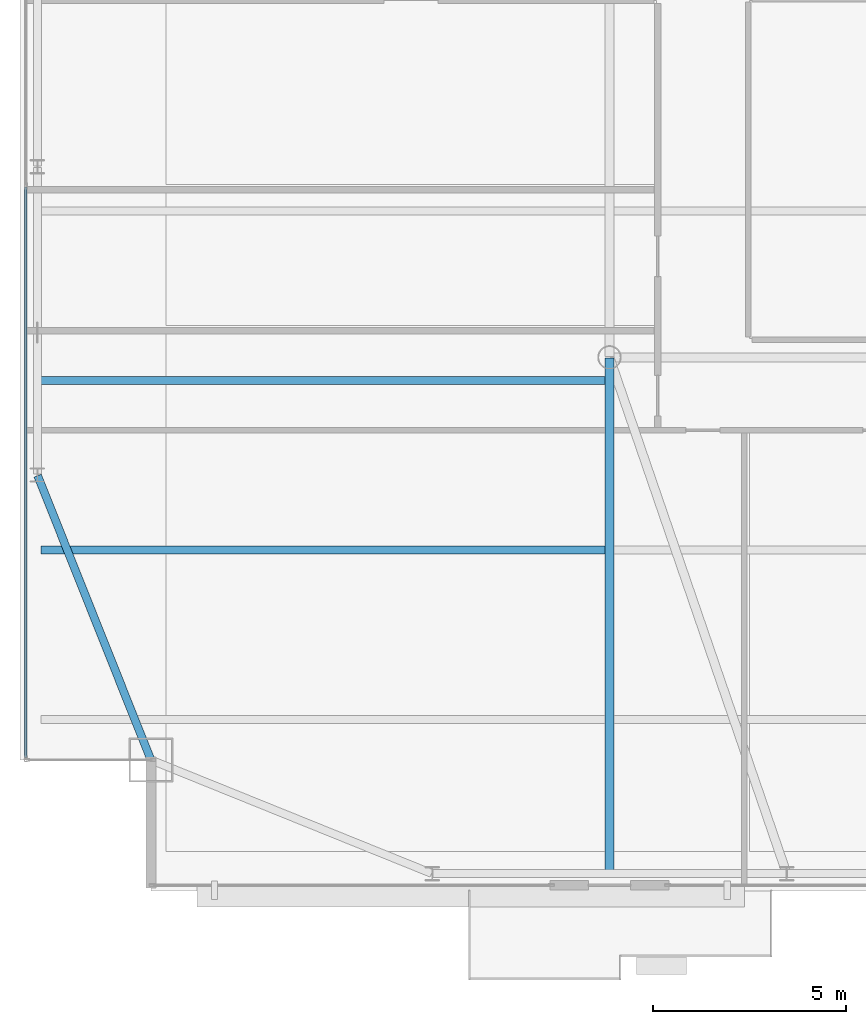
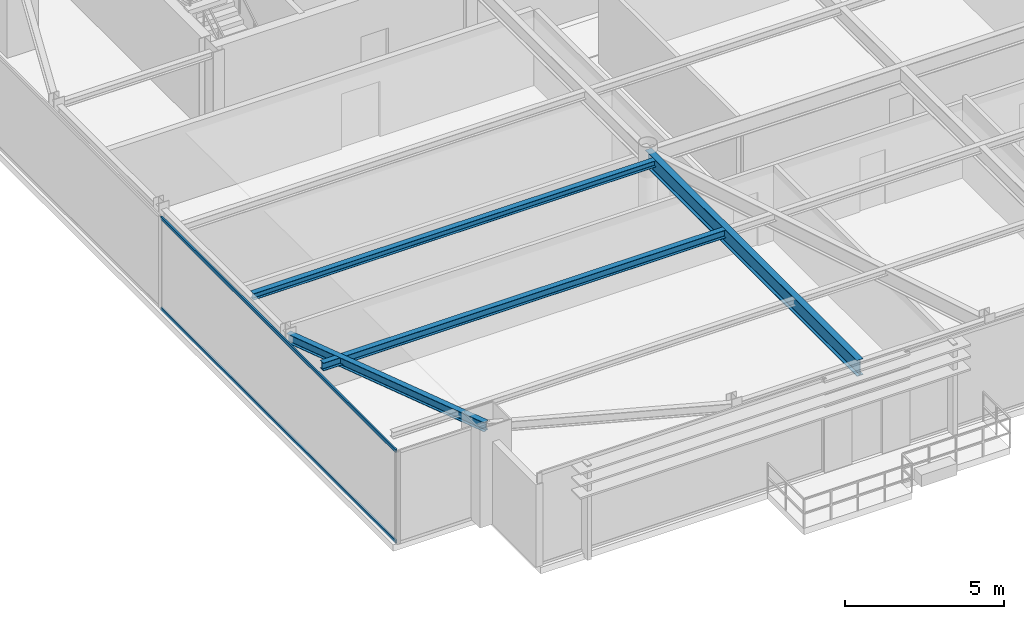
# One storey, part 7 of 30: 4 beams, 2 members, 1 element without a shape of its own.
"""IFC4 building model written with IfcOpenShell, lengths in metres."""

from ifc_helpers import new_model, si_unit, direction, frame, origin, origin_2d, place, context, subcontext, project, spatial, hollow_rectangle, i_section, extrude, source, transform, mapped, material, layer, layer_set, material_profile, profile_set, type_object, type_shapes, element, aggregate, save


model = new_model("IFC4")

# Units and contexts
model_context = context("Model", 3, precision=1e-05, world=origin(), true_north=direction((0.0, 1.0)))
body_context = subcontext(model_context, "Body", "Model", "MODEL_VIEW")
ifc_project = project(units=[si_unit("LENGTHUNIT", "METRE"), si_unit("AREAUNIT", "SQUARE_METRE"), si_unit("VOLUMEUNIT", "CUBIC_METRE"), si_unit("PLANEANGLEUNIT", "RADIAN"), si_unit("MASSUNIT", "GRAM", prefix="KILO")], contexts=[model_context])

# Site, building, storey
site_placement = place(None, origin())
site = spatial("IfcSite", under=ifc_project, at=site_placement, CompositionType="ELEMENT")
building_placement = place(site_placement, origin())
building = spatial("IfcBuilding", under=site, at=building_placement, Name="Varnel Quay Broadcast Tower", CompositionType="ELEMENT")
storey_placement = place(building_placement, frame((0.0, 0.0, 247.0)))
storey = spatial("IfcBuildingStorey", under=building, at=storey_placement, Name="L61", CompositionType="ELEMENT", Elevation=247.0)

# Beams
ifc_material_1 = material(Name="Structural Steel CSA G40.21 350W", Category="steel")
ifc_material_profile_1 = material_profile(ifc_material_1, i_section(OverallWidth=0.205078125, OverallDepth=0.35400390625, WebThickness=0.009521484375, FlangeThickness=0.016845703125, FilletRadius=0.012939453125, at=origin_2d()), Name="W360X79")
ifc_profile_set_1 = profile_set([ifc_material_profile_1], Name="Structural Steel CSA G40.21 350W")
beam_type_1 = type_object("IfcBeamType", Name="Beam_W360X79", PredefinedType="SPANDREL", material=ifc_profile_set_1)
shared_shape_1 = source(origin(), body_context, "Body", "SweptSolid", [
    extrude(i_section(OverallWidth=0.205078125, OverallDepth=0.35400390625, WebThickness=0.009521484375, FlangeThickness=0.016845703125, FilletRadius=0.012939453125, at=origin_2d()), origin(), (0.0, 0.0, 1.0), 7.92626953125),
])
type_shapes(beam_type_1, [shared_shape_1])
beam_1_placement = place(storey_placement, frame((12.892578125, 13.61865234375, 3.373046875), z_axis=(-0.370296431883, 0.928913641053, 0.0), x_axis=(-0.928913641053, -0.370296431883, 0.0)))
element("IfcBeam", 1, at=beam_1_placement, inside=storey, type_object=beam_type_1, Name="L61 West Spandrel MC-SW-TC-W1", PredefinedType="SPANDREL", context=body_context, shape_type="MappedRepresentation", body=[
    mapped(shared_shape_1, transform((0.0, 0.0, 0.0), x_axis=(1.0, 0.0, 0.0), y_axis=(0.0, 1.0, 0.0), z_axis=(0.0, 0.0, 1.0), scale=1.0)),
])
ifc_material_profile_2 = material_profile(ifc_material_1, i_section(OverallWidth=0.22998046875, OverallDepth=0.616943359375, WebThickness=0.01318359375, FlangeThickness=0.022216796875, FilletRadius=0.01611328125, at=origin_2d()), Name="W610X140")
ifc_profile_set_2 = profile_set([ifc_material_profile_2], Name="Structural Steel CSA G40.21 350W")
beam_type_2 = type_object("IfcBeamType", Name="Girder_W610X140", PredefinedType="BEAM", material=ifc_profile_set_2)
shared_shape_2 = source(origin(), body_context, "Body", "SweptSolid", [
    extrude(i_section(OverallWidth=0.22998046875, OverallDepth=0.616943359375, WebThickness=0.01318359375, FlangeThickness=0.022216796875, FilletRadius=0.01611328125, at=origin_2d()), origin(), (0.0, 0.0, 1.0), 13.360107421875),
])
type_shapes(beam_type_2, [shared_shape_2])
beam_2_placement = place(storey_placement, frame((24.800048828125, 10.669921875, 3.241455078125), z_axis=(0.0, 1.0, 0.0), x_axis=(-1.0, 0.0, 0.0)))
element("IfcBeam", 2, at=beam_2_placement, inside=storey, type_object=beam_type_2, Name="L61 N-S Joist Header IC-01S", PredefinedType="BEAM", context=body_context, shape_type="MappedRepresentation", body=[
    mapped(shared_shape_2, transform((0.0, 0.0, 0.0), x_axis=(1.0, 0.0, 0.0), y_axis=(0.0, 1.0, 0.0), z_axis=(0.0, 0.0, 1.0), scale=1.0)),
])
ifc_material_profile_3 = material_profile(ifc_material_1, i_section(OverallWidth=0.201904296875, OverallDepth=0.2470703125, WebThickness=0.00732421875, FlangeThickness=0.010986328125, FilletRadius=0.010986328125, at=origin_2d()), Name="W250X49")
ifc_profile_set_3 = profile_set([ifc_material_profile_3], Name="Structural Steel CSA G40.21 350W")
beam_type_3 = type_object("IfcBeamType", Name="Beam_W250X49", PredefinedType="JOIST", material=ifc_profile_set_3)
shared_shape_3 = source(origin(), body_context, "Body", "SweptSolid", [
    extrude(i_section(OverallWidth=0.201904296875, OverallDepth=0.2470703125, WebThickness=0.00732421875, FlangeThickness=0.010986328125, FilletRadius=0.010986328125, at=origin_2d()), origin(), (0.0, 0.0, 1.0), 14.642333984375),
])
type_shapes(beam_type_3, [shared_shape_3])
beam_3_placement = place(storey_placement, frame((10.047607421875, 23.449951171875, 3.426513671875), z_axis=(1.0, 0.0, 0.0), x_axis=(0.0, 1.0, 0.0)))
element("IfcBeam", 3, at=beam_3_placement, inside=storey, type_object=beam_type_3, Name="L61 West Floor Joist 3", PredefinedType="JOIST", context=body_context, shape_type="MappedRepresentation", body=[
    mapped(shared_shape_3, transform((0.0, 0.0, 0.0), x_axis=(1.0, 0.0, 0.0), y_axis=(0.0, 1.0, 0.0), z_axis=(0.0, 0.0, 1.0), scale=1.0)),
])
ifc_material_profile_4 = material_profile(ifc_material_1, i_section(OverallWidth=0.202880859375, OverallDepth=0.302978515625, WebThickness=0.007568359375, FlangeThickness=0.01318359375, FilletRadius=0.011962890625, at=origin_2d()), Name="W310X60")
ifc_profile_set_4 = profile_set([ifc_material_profile_4], Name="Structural Steel CSA G40.21 350W")
beam_type_4 = type_object("IfcBeamType", Name="Beam_W310X60", PredefinedType="JOIST", material=ifc_profile_set_4)
shared_shape_4 = source(origin(), body_context, "Body", "SweptSolid", [
    extrude(i_section(OverallWidth=0.202880859375, OverallDepth=0.302978515625, WebThickness=0.007568359375, FlangeThickness=0.01318359375, FilletRadius=0.011962890625, at=origin_2d()), origin(), (0.0, 0.0, 1.0), 14.642333984375),
])
type_shapes(beam_type_4, [shared_shape_4])
beam_4_placement = place(storey_placement, frame((10.047607421875, 19.050048828125, 3.3984375), z_axis=(1.0, 0.0, 0.0), x_axis=(0.0, 1.0, 0.0)))
element("IfcBeam", 4, at=beam_4_placement, inside=storey, type_object=beam_type_4, Name="L61 West Floor Joist 2", PredefinedType="JOIST", context=body_context, shape_type="MappedRepresentation", body=[
    mapped(shared_shape_4, transform((0.0, 0.0, 0.0), x_axis=(1.0, 0.0, 0.0), y_axis=(0.0, 1.0, 0.0), z_axis=(0.0, 0.0, 1.0), scale=1.0)),
])

# Curtain wall, members
ifc_material_2 = material(Name="Anodised Bronze Aluminium 6063-T6", Category="aluminium")
ifc_layer = layer(ifc_material_2, 0.18994140625, Name="Anodised Bronze Aluminium 6063-T6")
ifc_layer_set = layer_set([ifc_layer], Name="Anodised Bronze Aluminium 6063-T6")
curtain_wall_type = type_object("IfcCurtainWallType", Name="CW_UpperTower", PredefinedType="NOTDEFINED", material=ifc_layer_set)
curtain_wall_placement = place(storey_placement, origin())
curtain_wall = element("IfcCurtainWall", 5, at=curtain_wall_placement, inside=storey, type_object=curtain_wall_type, Name="L61 West Unitised Curtain Wall", PredefinedType="NOTDEFINED")
ifc_material_profile_5 = material_profile(ifc_material_2, hollow_rectangle(XDim=0.06005859375, YDim=0.125, WallThickness=0.0029296875, at=origin_2d()), Name="ALU60X125X3")
ifc_profile_set_5 = profile_set([ifc_material_profile_5], Name="Anodised Bronze Aluminium 6063-T6")
member_type = type_object("IfcMemberType", Name="Tran_CWS-03", PredefinedType="USERDEFINED", material=ifc_profile_set_5)
shared_shape_5 = source(origin(), body_context, "Body", "SweptSolid", [
    extrude(hollow_rectangle(XDim=0.06005859375, YDim=0.125, WallThickness=0.0029296875, at=origin_2d()), origin(), (0.0, 0.0, 1.0), 14.802490234375),
])
type_shapes(member_type, [shared_shape_5])
member_1_placement = place(storey_placement, frame((9.64990234375, 13.6650390625, 0.030029296875), z_axis=(0.0, 1.0, 0.0), x_axis=(-1.0, 0.0, 0.0)))
member_1 = element("IfcMember", 6, at=member_1_placement, type_object=member_type, Name="CWS-03 transom 1.1", ObjectType="TRANSOM", PredefinedType="USERDEFINED", context=body_context, shape_type="MappedRepresentation", body=[
    mapped(shared_shape_5, transform((0.0, 0.0, 0.0), x_axis=(1.0, 0.0, 0.0), y_axis=(0.0, 1.0, 0.0), z_axis=(0.0, 0.0, 1.0), scale=1.0)),
])
member_2_placement = place(storey_placement, frame((9.64990234375, 13.6650390625, 3.52001953125), z_axis=(0.0, 1.0, 0.0), x_axis=(-1.0, 0.0, 0.0)))
member_2 = element("IfcMember", 7, at=member_2_placement, type_object=member_type, Name="CWS-03 transom 1.2", ObjectType="TRANSOM", PredefinedType="USERDEFINED", context=body_context, shape_type="MappedRepresentation", body=[
    mapped(shared_shape_5, transform((0.0, 0.0, 0.0), x_axis=(1.0, 0.0, 0.0), y_axis=(0.0, 1.0, 0.0), z_axis=(0.0, 0.0, 1.0), scale=1.0)),
])
aggregate(curtain_wall, [member_1, member_2])

save(model, "model.ifc")
